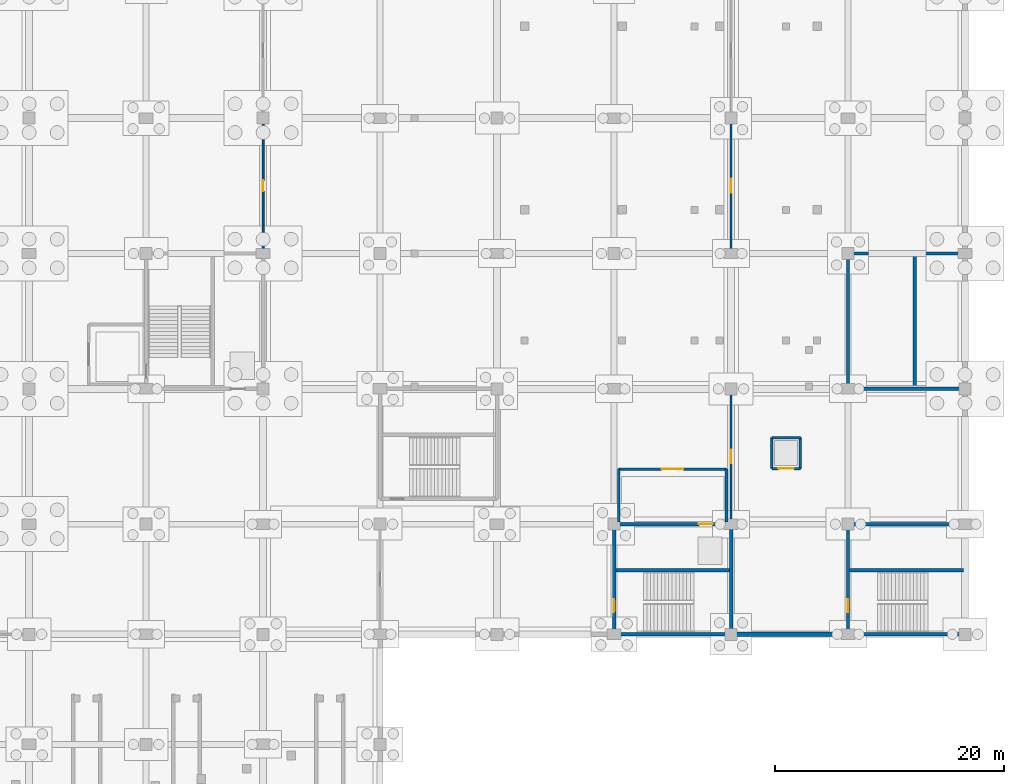
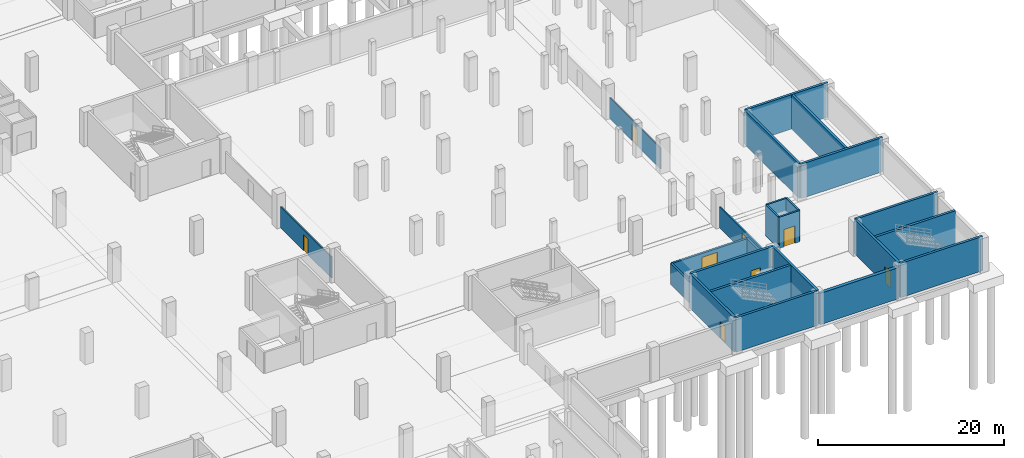
# One storey, part 36 of 52: 24 walls, 8 doors, 8 openings.
"""IFC4 building model written with IfcOpenShell, lengths in metres."""

from ifc_helpers import new_model, si_unit, direction, frame, frame_2d, origin, place, context, subcontext, project, spatial, rectangle, extrude, material, layer, layer_set, type_object, element, fill, save


model = new_model("IFC4")

# Units and contexts
model_context = context("Model", 3, precision=1e-05, world=origin(), true_north=direction((0.0, 1.0)))
body_context = subcontext(model_context, "Body", "Model", "MODEL_VIEW")
ifc_project = project(units=[si_unit("LENGTHUNIT", "METRE"), si_unit("AREAUNIT", "SQUARE_METRE"), si_unit("VOLUMEUNIT", "CUBIC_METRE"), si_unit("PLANEANGLEUNIT", "RADIAN"), si_unit("MASSUNIT", "GRAM", prefix="KILO")], contexts=[model_context])

# Site, building, storey
site_placement = place(None, origin())
site = spatial("IfcSite", under=ifc_project, at=site_placement, CompositionType="ELEMENT")
building_placement = place(site_placement, origin())
building = spatial("IfcBuilding", under=site, at=building_placement, Name="Brelvane Convention Centre", CompositionType="ELEMENT")
storey_placement = place(building_placement, frame((0.0, 0.0, -4.5)))
storey = spatial("IfcBuildingStorey", under=building, at=storey_placement, Name="B1", CompositionType="ELEMENT", Elevation=-4.5)

# Wall, opening, door
ifc_material_1 = material(Name="Fire-Rated Acoustic Gypsum Partition Board Grade A")
ifc_layer_1 = layer(ifc_material_1, 0.14501953125)
ifc_layer_set_1 = layer_set([ifc_layer_1], Name="Fire-Rated Acoustic Gypsum Partition Board Grade A")
wall_type_1 = type_object("IfcWallType", Name="Interior Wall IW-AC-145", PredefinedType="PARTITIONING", material=ifc_layer_set_1)
wall_1_placement = place(storey_placement, frame((204.0, 52.800048828125, 0.0), z_axis=(0.0, 0.0, 1.0), x_axis=(0.0, 1.0, 0.0)))
wall_1 = element("IfcWall", 1, at=wall_1_placement, inside=storey, type_object=wall_type_1, Name="Interior Partition B1-PUMP", PredefinedType="PARTITIONING", context=body_context, shape_type="SweptSolid", body=[
    extrude(rectangle(XDim=11.0, YDim=0.14501953125, at=frame_2d((5.5, 0.0))), origin(), (0.0, 0.0, 1.0), 2.75),
])
opening_1_placement = place(wall_1_placement, frame((4.8798828125, 0.0, 0.0)))
opening_1 = element("IfcOpeningElement", 2, at=opening_1_placement, cuts=wall_1, Name="Opening DR-IN-04R", PredefinedType="OPENING", context=body_context, shape_type="SweptSolid", body=[
    extrude(rectangle(XDim=1.239990234375, YDim=2.199951171875, at=frame_2d((0.6201171875, 1.10009765625))), frame((0.0, 0.08251953125, 0.0), z_axis=(0.0, -1.0, 0.0), x_axis=(1.0, 0.0, 0.0)), (0.0, 0.0, 1.0), 0.1650390625),
])
ifc_material_2 = material(Name="Galvanised Hollow-Metal Fire Door Steel E250", Category="steel")
door_type_1 = type_object("IfcDoorType", Name="Interior Door DR-IN-04R", OperationType="NOTDEFINED", PredefinedType="DOOR", material=ifc_material_2)
door_1_placement = place(opening_1_placement, origin())
door_1 = element("IfcDoor", 3, at=door_1_placement, inside=storey, type_object=door_type_1, Name="Interior Door B1-PUMP (DR-IN-04R)", OperationType="SINGLE_SWING_RIGHT", OverallHeight=2.199951171875, OverallWidth=1.239990234375, PredefinedType="DOOR", context=body_context, shape_type="SweptSolid", body=[
    extrude(rectangle(XDim=1.239990234375, YDim=2.199951171875, at=frame_2d((0.6201171875, 1.10009765625))), frame((0.0, 0.02490234375, 0.0), z_axis=(0.0, -1.0, 0.0), x_axis=(1.0, 0.0, 0.0)), (0.0, 0.0, 1.0), 0.050048828125),
])
fill(opening_1, door_1)

ifc_material_3 = material(Name="Fire-Rated Acoustic Gypsum Partition Board Grade A")
ifc_layer_2 = layer(ifc_material_3, 0.1650390625)
ifc_layer_set_2 = layer_set([ifc_layer_2], Name="Fire-Rated Acoustic Gypsum Partition Board Grade A")
wall_type_2 = type_object("IfcWallType", Name="Interior Wall IW-AC-165", PredefinedType="PARTITIONING", material=ifc_layer_set_2)
wall_2_placement = place(storey_placement, frame((163.199951171875, 52.800048828125, 0.0), z_axis=(0.0, 0.0, 1.0), x_axis=(0.0, 1.0, 0.0)))
wall_2 = element("IfcWall", 4, at=wall_2_placement, inside=storey, type_object=wall_type_2, Name="Interior Partition B1-CHILL", PredefinedType="PARTITIONING", context=body_context, shape_type="SweptSolid", body=[
    extrude(rectangle(XDim=11.0, YDim=0.1650390625, at=frame_2d((5.5, 0.0))), origin(), (0.0, 0.0, 1.0), 2.75),
])
opening_2_placement = place(wall_2_placement, frame((5.02001953125, 0.0, 0.0)))
opening_2 = element("IfcOpeningElement", 5, at=opening_2_placement, cuts=wall_2, Name="Opening DR-IN-03R", PredefinedType="OPENING", context=body_context, shape_type="SweptSolid", body=[
    extrude(rectangle(XDim=0.9599609375, YDim=2.10009765625, at=frame_2d((0.47998046875, 1.050048828125))), frame((0.0, 0.092529296875, 0.0), z_axis=(0.0, -1.0, 0.0), x_axis=(1.0, 0.0, 0.0)), (0.0, 0.0, 1.0), 0.18505859375),
])
ifc_material_4 = material(Name="Solid-Core Fire-Rated Hardwood Leaf Grade 1", Category="wood")
door_type_2 = type_object("IfcDoorType", Name="Interior Door DR-IN-03R", OperationType="NOTDEFINED", PredefinedType="DOOR", material=ifc_material_4)
door_2_placement = place(opening_2_placement, origin())
door_2 = element("IfcDoor", 6, at=door_2_placement, inside=storey, type_object=door_type_2, Name="Interior Door B1-CHILL (DR-IN-03R)", OperationType="SINGLE_SWING_RIGHT", OverallHeight=2.10009765625, OverallWidth=0.9599609375, PredefinedType="DOOR", context=body_context, shape_type="SweptSolid", body=[
    extrude(rectangle(XDim=0.9599609375, YDim=2.10009765625, at=frame_2d((0.47998046875, 1.050048828125))), frame((0.0, 0.02490234375, 0.0), z_axis=(0.0, -1.0, 0.0), x_axis=(1.0, 0.0, 0.0)), (0.0, 0.0, 1.0), 0.050048828125),
])
fill(opening_2, door_2)

ifc_material_5 = material(Name="Fire-Rated Acoustic Gypsum Partition Board Grade A")
ifc_layer_3 = layer(ifc_material_5, 0.175048828125)
ifc_layer_set_3 = layer_set([ifc_layer_3], Name="Fire-Rated Acoustic Gypsum Partition Board Grade A")
wall_type_3 = type_object("IfcWallType", Name="Interior Wall IW-AC-175", PredefinedType="PARTITIONING", material=ifc_layer_set_3)
wall_3_placement = place(storey_placement, frame((204.0, 29.199951171875, 0.0), z_axis=(0.0, 0.0, 1.0), x_axis=(0.0, 1.0, 0.0)))
wall_3 = element("IfcWall", 7, at=wall_3_placement, inside=storey, type_object=wall_type_3, Name="Interior Partition B1-AHUB1", PredefinedType="PARTITIONING", context=body_context, shape_type="SweptSolid", body=[
    extrude(rectangle(XDim=11.0, YDim=0.175048828125, at=frame_2d((5.5, 0.0))), origin(), (0.0, 0.0, 1.0), 2.75),
])
opening_3_placement = place(wall_3_placement, frame((4.909912109375, 0.0, 0.0)))
opening_3 = element("IfcOpeningElement", 8, at=opening_3_placement, cuts=wall_3, Name="Opening DR-IN-14L", PredefinedType="OPENING", context=body_context, shape_type="SweptSolid", body=[
    extrude(rectangle(XDim=1.179931640625, YDim=2.219970703125, at=frame_2d((0.58984375, 1.10986328125))), frame((0.0, 0.097412109375, 0.0), z_axis=(0.0, -1.0, 0.0), x_axis=(1.0, 0.0, 0.0)), (0.0, 0.0, 1.0), 0.195068359375),
])
ifc_material_6 = material(Name="Galvanised Hollow-Metal Fire Door Steel E250", Category="steel")
door_type_3 = type_object("IfcDoorType", Name="Interior Door DR-IN-14L", OperationType="NOTDEFINED", PredefinedType="DOOR", material=ifc_material_6)
door_3_placement = place(opening_3_placement, origin())
door_3 = element("IfcDoor", 9, at=door_3_placement, inside=storey, type_object=door_type_3, Name="Interior Door B1-AHUB1 (DR-IN-14L)", OperationType="SINGLE_SWING_LEFT", OverallHeight=2.219970703125, OverallWidth=1.179931640625, PredefinedType="DOOR", context=body_context, shape_type="SweptSolid", body=[
    extrude(rectangle(XDim=1.179931640625, YDim=2.219970703125, at=frame_2d((0.58984375, 1.10986328125))), frame((0.0, 0.02490234375, 0.0), z_axis=(0.0, -1.0, 0.0), x_axis=(1.0, 0.0, 0.0)), (0.0, 0.0, 1.0), 0.050048828125),
])
fill(opening_3, door_3)

ifc_material_7 = material(Name="Concrete M40", Category="concrete")
ifc_layer_4 = layer(ifc_material_7, 0.219970703125)
ifc_layer_set_4 = layer_set([ifc_layer_4], Name="Concrete M40")
wall_type_4 = type_object("IfcWallType", Name="Interior Wall IW-FR-220", PredefinedType="PARTITIONING", material=ifc_layer_set_4)
wall_4_placement = place(storey_placement, frame((207.550048828125, 33.64990234375, 0.0), z_axis=(0.0, 0.0, 1.0), x_axis=(1.0, 0.0, 0.0)))
wall_4 = element("IfcWall", 10, at=wall_4_placement, inside=storey, type_object=wall_type_4, Name="Lift LP-05 Shaft Wall S (B1)", PredefinedType="PARTITIONING", context=body_context, shape_type="SweptSolid", body=[
    extrude(rectangle(XDim=2.5, YDim=0.219970703125, at=frame_2d((1.25, 0.0))), origin(), (0.0, 0.0, 1.0), 4.10009765625),
])
opening_4_placement = place(wall_4_placement, frame((0.574951171875, 0.0, 0.0)))
opening_4 = element("IfcOpeningElement", 11, at=opening_4_placement, cuts=wall_4, Name="Opening LD-03", PredefinedType="OPENING", context=body_context, shape_type="SweptSolid", body=[
    extrude(rectangle(XDim=1.35009765625, YDim=2.300048828125, at=frame_2d((0.675048828125, 1.14990234375))), frame((0.0, 0.119873046875, 0.0), z_axis=(0.0, -1.0, 0.0), x_axis=(1.0, 0.0, 0.0)), (0.0, 0.0, 1.0), 0.239990234375),
])
ifc_material_8 = material(Name="Galvanised Hollow-Metal Fire Door Steel E250", Category="steel")
door_type_4 = type_object("IfcDoorType", Name="Interior Door LD-03", OperationType="NOTDEFINED", PredefinedType="DOOR", material=ifc_material_8)
door_4_placement = place(opening_4_placement, origin())
door_4 = element("IfcDoor", 12, at=door_4_placement, inside=storey, type_object=door_type_4, Name="Lift LP-05 Landing Door (B1)", OperationType="DOUBLE_DOOR_SLIDING", OverallHeight=2.300048828125, OverallWidth=1.35009765625, PredefinedType="DOOR", context=body_context, shape_type="SweptSolid", body=[
    extrude(rectangle(XDim=1.35009765625, YDim=2.300048828125, at=frame_2d((0.675048828125, 1.14990234375))), frame((0.0, 0.02490234375, 0.0), z_axis=(0.0, -1.0, 0.0), x_axis=(1.0, 0.0, 0.0)), (0.0, 0.0, 1.0), 0.050048828125),
])
fill(opening_4, door_4)

# Walls
wall_5_placement = place(storey_placement, frame((207.550048828125, 36.35009765625, 0.0), z_axis=(0.0, 0.0, 1.0), x_axis=(1.0, 0.0, 0.0)))
element("IfcWall", 13, at=wall_5_placement, inside=storey, type_object=wall_type_4, Name="Lift LP-05 Shaft Wall N (B1)", PredefinedType="PARTITIONING", context=body_context, shape_type="SweptSolid", body=[
    extrude(rectangle(XDim=2.5, YDim=0.219970703125, at=frame_2d((1.25, 0.0))), origin(), (0.0, 0.0, 1.0), 4.10009765625),
])
for number, where, z_axis, x_axis, name in (
    (14, (207.550048828125, 33.64990234375, 0.0), (0.0, 0.0, 1.0), (0.0, 1.0, 0.0), "Lift LP-05 Shaft Wall W (B1)"),
    (15, (210.050048828125, 33.64990234375, 0.0), (0.0, 0.0, 1.0), (0.0, 1.0, 0.0), "Lift LP-05 Shaft Wall E (B1)"),
):
    element("IfcWall", number, at=place(storey_placement, frame(where, z_axis=z_axis, x_axis=x_axis)), inside=storey, type_object=wall_type_4, Name=name, PredefinedType="PARTITIONING", context=body_context, shape_type="SweptSolid", body=[
        extrude(rectangle(XDim=2.7001953125, YDim=0.219970703125, at=frame_2d((1.35009765625, 0.0))), origin(), (0.0, 0.0, 1.0), 4.10009765625),
    ])

# Wall, opening, door
ifc_material_9 = material(Name="Concrete M40", Category="concrete")
ifc_layer_5 = layer(ifc_material_9, 0.239990234375)
ifc_layer_set_5 = layer_set([ifc_layer_5], Name="Concrete M40")
wall_type_5 = type_object("IfcWallType", Name="Interior Wall IW-FR-240", PredefinedType="PARTITIONING", material=ifc_layer_set_5)
wall_6_placement = place(storey_placement, frame((194.199951171875, 33.60009765625, 0.0), z_axis=(0.0, 0.0, 1.0), x_axis=(1.0, 0.0, 0.0)))
wall_6 = element("IfcWall", 16, at=wall_6_placement, inside=storey, type_object=wall_type_5, Name="Firefighting Lobby C8 Wall N (B1)", PredefinedType="PARTITIONING", context=body_context, shape_type="SweptSolid", body=[
    extrude(rectangle(XDim=9.400146484375, YDim=0.239990234375, at=frame_2d((4.7001953125, 0.0))), origin(), (0.0, 0.0, 1.0), 2.75),
])
opening_5_placement = place(wall_6_placement, frame((3.75, 0.0, 0.0)))
opening_5 = element("IfcOpeningElement", 17, at=opening_5_placement, cuts=wall_6, Name="Opening DR-FL-01", PredefinedType="OPENING", context=body_context, shape_type="SweptSolid", body=[
    extrude(rectangle(XDim=1.89990234375, YDim=2.25, at=frame_2d((0.949951171875, 1.125))), frame((0.0, 0.1298828125, 0.0), z_axis=(0.0, -1.0, 0.0), x_axis=(1.0, 0.0, 0.0)), (0.0, 0.0, 1.0), 0.260009765625),
])
ifc_material_10 = material(Name="Galvanised Hollow-Metal Fire Door Steel E250", Category="steel")
door_type_5 = type_object("IfcDoorType", Name="Interior Door DR-FL-01", OperationType="NOTDEFINED", PredefinedType="DOOR", material=ifc_material_10)
door_5_placement = place(opening_5_placement, origin())
door_5 = element("IfcDoor", 18, at=door_5_placement, inside=storey, type_object=door_type_5, Name="Firefighting Lobby C8 Smoke Door (B1)", OperationType="DOUBLE_DOOR_SINGLE_SWING", OverallHeight=2.25, OverallWidth=1.89990234375, PredefinedType="DOOR", context=body_context, shape_type="SweptSolid", body=[
    extrude(rectangle(XDim=1.89990234375, YDim=2.25, at=frame_2d((0.949951171875, 1.125))), frame((0.0, 0.02490234375, 0.0), z_axis=(0.0, -1.0, 0.0), x_axis=(1.0, 0.0, 0.0)), (0.0, 0.0, 1.0), 0.050048828125),
])
fill(opening_5, door_5)

# Walls
for number, where, z_axis, x_axis, name in (
    (19, (203.60009765625, 29.0, 0.0), (0.0, 0.0, 1.0), (0.0, 1.0, 0.0), "Firefighting Lobby C8 Wall E (B1)"),
    (20, (194.199951171875, 29.0, 0.0), (0.0, 0.0, 1.0), (0.0, 1.0, 0.0), "Firefighting Lobby C8 Wall W (B1)"),
):
    element("IfcWall", number, at=place(storey_placement, frame(where, z_axis=z_axis, x_axis=x_axis)), inside=storey, type_object=wall_type_5, Name=name, PredefinedType="PARTITIONING", context=body_context, shape_type="SweptSolid", body=[
        extrude(rectangle(XDim=4.60009765625, YDim=0.239990234375, at=frame_2d((2.300048828125, 0.0))), origin(), (0.0, 0.0, 1.0), 2.75),
    ])
ifc_material_11 = material(Name="Concrete M50", Category="concrete")
ifc_layer_6 = layer(ifc_material_11, 0.300048828125)
ifc_layer_set_6 = layer_set([ifc_layer_6], Name="Concrete M50")
wall_type_6 = type_object("IfcWallType", Name="Structural Wall WL-CORE-300", PredefinedType="SHEAR", material=ifc_layer_set_6)
wall_7_placement = place(storey_placement, frame((193.800048828125, 19.199951171875, 0.0), z_axis=(0.0, 0.0, 1.0), x_axis=(1.0, 0.0, 0.0)))
element("IfcWall", 21, at=wall_7_placement, inside=storey, type_object=wall_type_6, Name="Core C8 Shear Wall S (B1)", PredefinedType="SHEAR", context=body_context, shape_type="SweptSolid", body=[
    extrude(rectangle(XDim=10.199951171875, YDim=0.300048828125, at=frame_2d((5.10009765625, 0.0))), origin(), (0.0, 0.0, 1.0), 4.5),
])

# Wall, opening, door
wall_8_placement = place(storey_placement, frame((193.800048828125, 28.800048828125, 0.0), z_axis=(0.0, 0.0, 1.0), x_axis=(1.0, 0.0, 0.0)))
wall_8 = element("IfcWall", 22, at=wall_8_placement, inside=storey, type_object=wall_type_6, Name="Core C8 Shear Wall N (B1)", PredefinedType="SHEAR", context=body_context, shape_type="SweptSolid", body=[
    extrude(rectangle(XDim=10.199951171875, YDim=0.300048828125, at=frame_2d((5.10009765625, 0.0))), origin(), (0.0, 0.0, 1.0), 4.5),
])
opening_6_placement = place(wall_8_placement, frame((7.39990234375, 0.0, 0.0)))
opening_6 = element("IfcOpeningElement", 23, at=opening_6_placement, cuts=wall_8, Name="Opening LD-01", PredefinedType="OPENING", context=body_context, shape_type="SweptSolid", body=[
    extrude(rectangle(XDim=1.199951171875, YDim=2.25, at=frame_2d((0.60009765625, 1.125))), frame((0.0, 0.159912109375, 0.0), z_axis=(0.0, -1.0, 0.0), x_axis=(1.0, 0.0, 0.0)), (0.0, 0.0, 1.0), 0.320068359375),
])
ifc_material_12 = material(Name="Galvanised Hollow-Metal Fire Door Steel E250", Category="steel")
door_type_6 = type_object("IfcDoorType", Name="Interior Door LD-01", OperationType="NOTDEFINED", PredefinedType="DOOR", material=ifc_material_12)
door_6_placement = place(opening_6_placement, origin())
door_6 = element("IfcDoor", 24, at=door_6_placement, inside=storey, type_object=door_type_6, Name="Lift LF-05 Landing Door (B1)", OperationType="SLIDING_TO_LEFT", OverallHeight=2.25, OverallWidth=1.199951171875, PredefinedType="DOOR", context=body_context, shape_type="SweptSolid", body=[
    extrude(rectangle(XDim=1.199951171875, YDim=2.25, at=frame_2d((0.60009765625, 1.125))), frame((0.0, 0.02490234375, 0.0), z_axis=(0.0, -1.0, 0.0), x_axis=(1.0, 0.0, 0.0)), (0.0, 0.0, 1.0), 0.050048828125),
])
fill(opening_6, door_6)

wall_9_placement = place(storey_placement, frame((193.800048828125, 19.199951171875, 0.0), z_axis=(0.0, 0.0, 1.0), x_axis=(0.0, 1.0, 0.0)))
wall_9 = element("IfcWall", 25, at=wall_9_placement, inside=storey, type_object=wall_type_6, Name="Core C8 Shear Wall W (B1)", PredefinedType="SHEAR", context=body_context, shape_type="SweptSolid", body=[
    extrude(rectangle(XDim=9.60009765625, YDim=0.300048828125, at=frame_2d((4.800048828125, 0.0))), origin(), (0.0, 0.0, 1.0), 4.5),
])
opening_7_placement = place(wall_9_placement, frame((1.89990234375, 0.0, 0.0)))
opening_7 = element("IfcOpeningElement", 26, at=opening_7_placement, cuts=wall_9, Name="Opening DR-IN-04L", PredefinedType="OPENING", context=body_context, shape_type="SweptSolid", body=[
    extrude(rectangle(XDim=1.159912109375, YDim=2.199951171875, at=frame_2d((0.580078125, 1.10009765625))), frame((0.0, 0.159912109375, 0.0), z_axis=(0.0, -1.0, 0.0), x_axis=(1.0, 0.0, 0.0)), (0.0, 0.0, 1.0), 0.320068359375),
])
ifc_material_13 = material(Name="Galvanised Hollow-Metal Fire Door Steel E250", Category="steel")
door_type_7 = type_object("IfcDoorType", Name="Interior Door DR-IN-04L", OperationType="NOTDEFINED", PredefinedType="DOOR", material=ifc_material_13)
door_7_placement = place(opening_7_placement, origin())
door_7 = element("IfcDoor", 27, at=door_7_placement, inside=storey, type_object=door_type_7, Name="Stair ST-08 Door (B1)", OperationType="SINGLE_SWING_LEFT", OverallHeight=2.199951171875, OverallWidth=1.159912109375, PredefinedType="DOOR", context=body_context, shape_type="SweptSolid", body=[
    extrude(rectangle(XDim=1.159912109375, YDim=2.199951171875, at=frame_2d((0.580078125, 1.10009765625))), frame((0.0, 0.02490234375, 0.0), z_axis=(0.0, -1.0, 0.0), x_axis=(1.0, 0.0, 0.0)), (0.0, 0.0, 1.0), 0.050048828125),
])
fill(opening_7, door_7)

# Walls
wall_10_placement = place(storey_placement, frame((204.0, 19.199951171875, 0.0), z_axis=(0.0, 0.0, 1.0), x_axis=(0.0, 1.0, 0.0)))
element("IfcWall", 28, at=wall_10_placement, inside=storey, type_object=wall_type_6, Name="Core C8 Shear Wall E (B1)", PredefinedType="SHEAR", context=body_context, shape_type="SweptSolid", body=[
    extrude(rectangle(XDim=9.60009765625, YDim=0.300048828125, at=frame_2d((4.800048828125, 0.0))), origin(), (0.0, 0.0, 1.0), 4.5),
])
wall_11_placement = place(storey_placement, frame((193.949951171875, 24.800048828125, 0.0), z_axis=(0.0, 0.0, 1.0), x_axis=(1.0, 0.0, 0.0)))
element("IfcWall", 29, at=wall_11_placement, inside=storey, type_object=wall_type_6, Name="Core C8 Shaft Divider Wall (B1)", PredefinedType="SHEAR", context=body_context, shape_type="SweptSolid", body=[
    extrude(rectangle(XDim=9.900146484375, YDim=0.300048828125, at=frame_2d((4.9501953125, 0.0))), origin(), (0.0, 0.0, 1.0), 4.5),
])
for number, where, z_axis, x_axis, name in (
    (30, (214.199951171875, 19.199951171875, 0.0), (0.0, 0.0, 1.0), (1.0, 0.0, 0.0), "Stair Core ST-14 Wall S (B1)"),
    (31, (214.199951171875, 28.800048828125, 0.0), (0.0, 0.0, 1.0), (1.0, 0.0, 0.0), "Stair Core ST-14 Wall N (B1)"),
):
    element("IfcWall", number, at=place(storey_placement, frame(where, z_axis=z_axis, x_axis=x_axis)), inside=storey, type_object=wall_type_6, Name=name, PredefinedType="SHEAR", context=body_context, shape_type="SweptSolid", body=[
        extrude(rectangle(XDim=10.199951171875, YDim=0.300048828125, at=frame_2d((5.10009765625, 0.0))), origin(), (0.0, 0.0, 1.0), 4.5),
    ])

# Wall, opening, door
wall_12_placement = place(storey_placement, frame((214.199951171875, 19.199951171875, 0.0), z_axis=(0.0, 0.0, 1.0), x_axis=(0.0, 1.0, 0.0)))
wall_12 = element("IfcWall", 32, at=wall_12_placement, inside=storey, type_object=wall_type_6, Name="Stair Core ST-14 Wall W (B1)", PredefinedType="SHEAR", context=body_context, shape_type="SweptSolid", body=[
    extrude(rectangle(XDim=9.60009765625, YDim=0.300048828125, at=frame_2d((4.800048828125, 0.0))), origin(), (0.0, 0.0, 1.0), 4.5),
])
opening_8_placement = place(wall_12_placement, frame((1.89990234375, 0.0, 0.0)))
opening_8 = element("IfcOpeningElement", 33, at=opening_8_placement, cuts=wall_12, Name="Opening DR-IN-04L", PredefinedType="OPENING", context=body_context, shape_type="SweptSolid", body=[
    extrude(rectangle(XDim=1.159912109375, YDim=2.199951171875, at=frame_2d((0.580078125, 1.10009765625))), frame((0.0, 0.159912109375, 0.0), z_axis=(0.0, -1.0, 0.0), x_axis=(1.0, 0.0, 0.0)), (0.0, 0.0, 1.0), 0.320068359375),
])
door_8_placement = place(opening_8_placement, origin())
door_8 = element("IfcDoor", 34, at=door_8_placement, inside=storey, type_object=door_type_7, Name="Stair ST-14 Entry Door (B1)", OperationType="SINGLE_SWING_LEFT", OverallHeight=2.199951171875, OverallWidth=1.159912109375, PredefinedType="DOOR", context=body_context, shape_type="SweptSolid", body=[
    extrude(rectangle(XDim=1.159912109375, YDim=2.199951171875, at=frame_2d((0.580078125, 1.10009765625))), frame((0.0, 0.02490234375, 0.0), z_axis=(0.0, -1.0, 0.0), x_axis=(1.0, 0.0, 0.0)), (0.0, 0.0, 1.0), 0.050048828125),
])
fill(opening_8, door_8)

# Walls
wall_13_placement = place(storey_placement, frame((214.35009765625, 24.800048828125, 0.0), z_axis=(0.0, 0.0, 1.0), x_axis=(1.0, 0.0, 0.0)))
element("IfcWall", 35, at=wall_13_placement, inside=storey, type_object=wall_type_6, Name="Stair Core ST-14 Well Wall (B1)", PredefinedType="SHEAR", context=body_context, shape_type="SweptSolid", body=[
    extrude(rectangle(XDim=9.89990234375, YDim=0.300048828125, at=frame_2d((4.949951171875, 0.0))), origin(), (0.0, 0.0, 1.0), 4.5),
])
for number, where, z_axis, x_axis, name in (
    (36, (214.199951171875, 40.60009765625, 0.0), (0.0, 0.0, 1.0), (1.0, 0.0, 0.0), "Stair Core ST-15 Wall S (B1)"),
    (37, (214.199951171875, 52.39990234375, 0.0), (0.0, 0.0, 1.0), (1.0, 0.0, 0.0), "Stair Core ST-15 Wall N (B1)"),
):
    element("IfcWall", number, at=place(storey_placement, frame(where, z_axis=z_axis, x_axis=x_axis)), inside=storey, type_object=wall_type_6, Name=name, PredefinedType="SHEAR", context=body_context, shape_type="SweptSolid", body=[
        extrude(rectangle(XDim=10.199951171875, YDim=0.300048828125, at=frame_2d((5.10009765625, 0.0))), origin(), (0.0, 0.0, 1.0), 4.5),
    ])
wall_14_placement = place(storey_placement, frame((214.199951171875, 40.60009765625, 0.0), z_axis=(0.0, 0.0, 1.0), x_axis=(0.0, 1.0, 0.0)))
element("IfcWall", 38, at=wall_14_placement, inside=storey, type_object=wall_type_6, Name="Stair Core ST-15 Wall W (B1)", PredefinedType="SHEAR", context=body_context, shape_type="SweptSolid", body=[
    extrude(rectangle(XDim=11.7998046875, YDim=0.300048828125, at=frame_2d((5.89990234375, 0.0))), origin(), (0.0, 0.0, 1.0), 4.5),
])
wall_15_placement = place(storey_placement, frame((220.0, 40.75, 0.0), z_axis=(0.0, 0.0, 1.0), x_axis=(0.0, 1.0, 0.0)))
element("IfcWall", 39, at=wall_15_placement, inside=storey, type_object=wall_type_6, Name="Stair Core ST-15 Well Wall (B1)", PredefinedType="SHEAR", context=body_context, shape_type="SweptSolid", body=[
    extrude(rectangle(XDim=11.5, YDim=0.300048828125, at=frame_2d((5.75, 0.0))), origin(), (0.0, 0.0, 1.0), 4.5),
])
ifc_material_14 = material(Name="Concrete M40", Category="concrete")
ifc_layer_7 = layer(ifc_material_14, 0.39990234375)
ifc_layer_set_7 = layer_set([ifc_layer_7], Name="Concrete M40")
wall_type_7 = type_object("IfcWallType", Name="Structural Wall WL-RET-400", PredefinedType="SOLIDWALL", material=ifc_layer_set_7)
wall_16_placement = place(storey_placement, frame((204.199951171875, 19.199951171875, 0.0), z_axis=(0.0, 0.0, 1.0), x_axis=(1.0, 0.0, 0.0)))
element("IfcWall", 40, at=wall_16_placement, inside=storey, type_object=wall_type_7, Name="Basement Retaining Wall S-EAST2", PredefinedType="SOLIDWALL", context=body_context, shape_type="SweptSolid", body=[
    extrude(rectangle(XDim=9.800048828125, YDim=0.39990234375, at=frame_2d((4.89990234375, 0.0))), origin(), (0.0, 0.0, 1.0), 4.10009765625),
])

save(model, "model.ifc")
